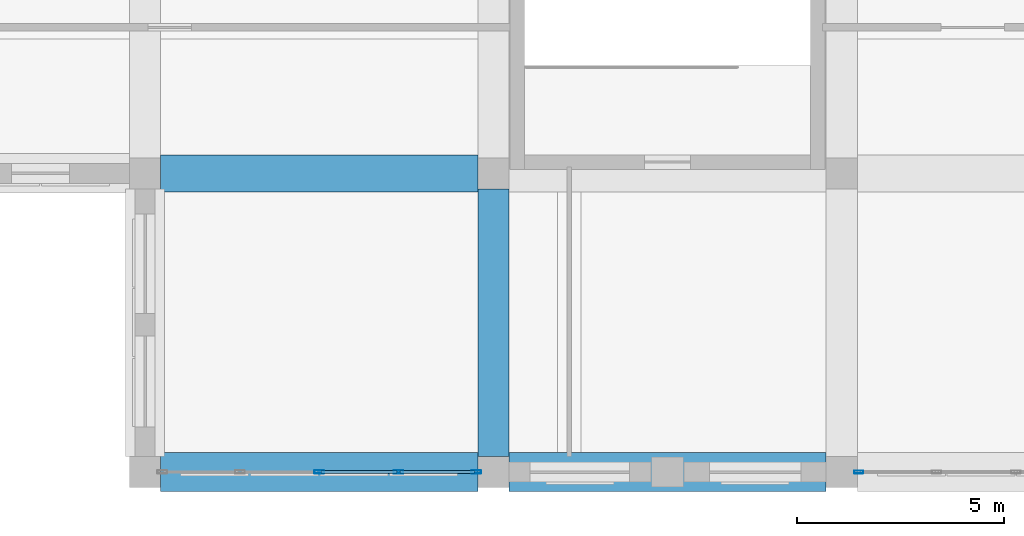
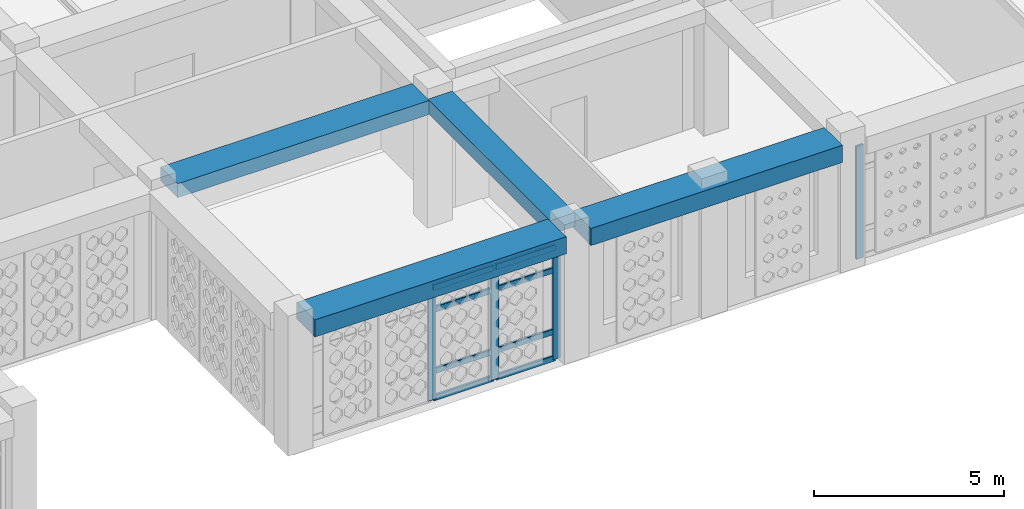
# One storey, part 21 of 111: 12 members, 4 beams, 2 elements without a shape of their own.
"""IFC4 building model written with IfcOpenShell, lengths in metres."""

from ifc_helpers import new_model, si_unit, derived_unit, direction, frame, origin, origin_2d, place, context, subcontext, project, spatial, rectangle, hollow_rectangle, extrude, material, material_profile, profile_set, type_object, element, aggregate, save


model = new_model("IFC4")

# Units and contexts
model_context = context("Model", 3, precision=1e-05, world=origin(), true_north=direction((0.0, 1.0)))
body_context = subcontext(model_context, "Body", "Model", "MODEL_VIEW")
ifc_project = project(units=[si_unit("LENGTHUNIT", "METRE"), si_unit("AREAUNIT", "SQUARE_METRE"), si_unit("VOLUMEUNIT", "CUBIC_METRE"), si_unit("PLANEANGLEUNIT", "RADIAN"), si_unit("MASSUNIT", "GRAM", prefix="KILO"), derived_unit("THERMALTRANSMITTANCEUNIT", [(si_unit("POWERUNIT", "WATT"), 1), (si_unit("LENGTHUNIT", "METRE"), -2), (si_unit("THERMODYNAMICTEMPERATUREUNIT", "KELVIN"), -1)])], contexts=[model_context])

# Site, building, storey
site_placement = place(None, origin())
site = spatial("IfcSite", under=ifc_project, at=site_placement, CompositionType="ELEMENT")
building_placement = place(site_placement, origin())
building = spatial("IfcBuilding", under=site, at=building_placement, Name="Veybourne Emporium", CompositionType="ELEMENT")
storey_placement = place(building_placement, frame((0.0, 0.0, 9.89990234375)))
storey = spatial("IfcBuildingStorey", under=building, at=storey_placement, Name="L02", CompositionType="ELEMENT", Elevation=9.89990234375)

# Curtain wall, member
ifc_material_1 = material(Name="Patinated Architectural Bronze", Category="bronze")
curtain_wall_type_1 = type_object("IfcCurtainWallType", Name="CWSystem_CWS-25", PredefinedType="NOTDEFINED", material=ifc_material_1)
curtain_wall_1_placement = place(storey_placement, origin())
curtain_wall_1 = element("IfcCurtainWall", 1, at=curtain_wall_1_placement, inside=storey, type_object=curtain_wall_type_1, Name="L02 bronze glazed curtain wall CWS-25 (063)", PredefinedType="NOTDEFINED")
ifc_material_profile_1 = material_profile(ifc_material_1, hollow_rectangle(XDim=0.072021484375, YDim=0.22509765625, WallThickness=0.0048828125, InnerFilletRadius=0.007568359375, OuterFilletRadius=0.012451171875, at=origin_2d()), Name="CWM 72x225x5")
ifc_profile_set_1 = profile_set([ifc_material_profile_1], Name="Patinated Architectural Bronze")
member_type_1 = type_object("IfcMemberType", Name="CWMullion_CW-M1", PredefinedType="MULLION", material=ifc_profile_set_1)
member_1_placement = place(storey_placement, frame((109.611083984375, 0.0, 0.0), z_axis=(0.0, 0.0, 1.0), x_axis=(0.0, -1.0, 0.0)))
member_1 = element("IfcMember", 2, at=member_1_placement, type_object=member_type_1, Name="CWS-25 mullion 5", PredefinedType="MULLION", context=body_context, shape_type="SweptSolid", body=[
    extrude(hollow_rectangle(XDim=0.072021484375, YDim=0.22509765625, WallThickness=0.0048828125, InnerFilletRadius=0.007568359375, OuterFilletRadius=0.012451171875, at=origin_2d()), origin(), (0.0, 0.0, 1.0), 3.630126953125),
])
aggregate(curtain_wall_1, [member_1])

# Curtain wall, members
curtain_wall_type_2 = type_object("IfcCurtainWallType", Name="CWSystem_CWS-19", PredefinedType="NOTDEFINED", material=ifc_material_1)
curtain_wall_2_placement = place(storey_placement, origin())
curtain_wall_2 = element("IfcCurtainWall", 3, at=curtain_wall_2_placement, inside=storey, type_object=curtain_wall_type_2, Name="L02 bronze glazed curtain wall CWS-19 (046)", PredefinedType="NOTDEFINED")
ifc_material_profile_2 = material_profile(ifc_material_1, hollow_rectangle(XDim=0.077880859375, YDim=0.235107421875, WallThickness=0.0048828125, InnerFilletRadius=0.007568359375, OuterFilletRadius=0.012451171875, at=origin_2d()), Name="CWM 78x235x5")
ifc_profile_set_2 = profile_set([ifc_material_profile_2], Name="Patinated Architectural Bronze")
member_type_2 = type_object("IfcMemberType", Name="CWMullion_CW-M3", PredefinedType="MULLION", material=ifc_profile_set_2)
member_2_placement = place(storey_placement, frame((100.385986328125, 0.0, 0.0), z_axis=(0.0, 0.0, 1.0), x_axis=(0.0, -1.0, 0.0)))
member_2 = element("IfcMember", 4, at=member_2_placement, type_object=member_type_2, Name="CWS-19 mullion 1", PredefinedType="MULLION", context=body_context, shape_type="SweptSolid", body=[
    extrude(hollow_rectangle(XDim=0.077880859375, YDim=0.235107421875, WallThickness=0.0048828125, InnerFilletRadius=0.007568359375, OuterFilletRadius=0.012451171875, at=origin_2d()), origin(), (0.0, 0.0, 1.0), 3.630126953125),
])
member_3_placement = place(storey_placement, frame((98.512451171875, 0.0, 0.0), z_axis=(0.0, 0.0, 1.0), x_axis=(0.0, -1.0, 0.0)))
member_3 = element("IfcMember", 5, at=member_3_placement, type_object=member_type_2, Name="CWS-19 mullion 2", PredefinedType="MULLION", context=body_context, shape_type="SweptSolid", body=[
    extrude(hollow_rectangle(XDim=0.077880859375, YDim=0.235107421875, WallThickness=0.0048828125, InnerFilletRadius=0.007568359375, OuterFilletRadius=0.012451171875, at=origin_2d()), origin(), (0.0, 0.0, 1.0), 3.630126953125),
])
member_4_placement = place(storey_placement, frame((96.60009765625, 0.0, 0.0), z_axis=(0.0, 0.0, 1.0), x_axis=(0.0, -1.0, 0.0)))
member_4 = element("IfcMember", 6, at=member_4_placement, type_object=member_type_2, Name="CWS-19 mullion 3", PredefinedType="MULLION", context=body_context, shape_type="SweptSolid", body=[
    extrude(hollow_rectangle(XDim=0.077880859375, YDim=0.235107421875, WallThickness=0.0048828125, InnerFilletRadius=0.007568359375, OuterFilletRadius=0.012451171875, at=origin_2d()), origin(), (0.0, 0.0, 1.0), 3.630126953125),
])
ifc_material_profile_3 = material_profile(ifc_material_1, hollow_rectangle(XDim=0.077880859375, YDim=0.18505859375, WallThickness=0.0048828125, InnerFilletRadius=0.007568359375, OuterFilletRadius=0.012451171875, at=origin_2d()), Name="CWT 78x185x5")
ifc_profile_set_3 = profile_set([ifc_material_profile_3], Name="Patinated Architectural Bronze")
member_type_3 = type_object("IfcMemberType", Name="CWTransom_CW-T3", PredefinedType="NOTDEFINED", material=ifc_profile_set_3)
member_5_placement = place(storey_placement, frame((100.346923828125, 0.0, 0.0390625), z_axis=(-1.0, 0.0, 0.0), x_axis=(0.0, -1.0, 0.0)))
member_5 = element("IfcMember", 7, at=member_5_placement, type_object=member_type_3, Name="CWS-19 transom 1.1", ObjectType="TRANSOM", PredefinedType="USERDEFINED", context=body_context, shape_type="SweptSolid", body=[
    extrude(hollow_rectangle(XDim=0.077880859375, YDim=0.18505859375, WallThickness=0.0048828125, InnerFilletRadius=0.007568359375, OuterFilletRadius=0.012451171875, at=origin_2d()), origin(), (0.0, 0.0, 1.0), 1.79541015625),
])
member_6_placement = place(storey_placement, frame((100.346923828125, 0.0, 0.900146484375), z_axis=(-1.0, 0.0, 0.0), x_axis=(0.0, -1.0, 0.0)))
member_6 = element("IfcMember", 8, at=member_6_placement, type_object=member_type_3, Name="CWS-19 transom 1.2", ObjectType="TRANSOM", PredefinedType="USERDEFINED", context=body_context, shape_type="SweptSolid", body=[
    extrude(hollow_rectangle(XDim=0.077880859375, YDim=0.18505859375, WallThickness=0.0048828125, InnerFilletRadius=0.007568359375, OuterFilletRadius=0.012451171875, at=origin_2d()), origin(), (0.0, 0.0, 1.0), 1.79541015625),
])
member_7_placement = place(storey_placement, frame((100.346923828125, 0.0, 2.880126953125), z_axis=(-1.0, 0.0, 0.0), x_axis=(0.0, -1.0, 0.0)))
member_7 = element("IfcMember", 9, at=member_7_placement, type_object=member_type_3, Name="CWS-19 transom 1.3", ObjectType="TRANSOM", PredefinedType="USERDEFINED", context=body_context, shape_type="SweptSolid", body=[
    extrude(hollow_rectangle(XDim=0.077880859375, YDim=0.18505859375, WallThickness=0.0048828125, InnerFilletRadius=0.007568359375, OuterFilletRadius=0.012451171875, at=origin_2d()), origin(), (0.0, 0.0, 1.0), 1.79541015625),
])
member_8_placement = place(storey_placement, frame((100.346923828125, 0.0, 3.591064453125), z_axis=(-1.0, 0.0, 0.0), x_axis=(0.0, -1.0, 0.0)))
member_8 = element("IfcMember", 10, at=member_8_placement, type_object=member_type_3, Name="CWS-19 transom 1.4", ObjectType="TRANSOM", PredefinedType="USERDEFINED", context=body_context, shape_type="SweptSolid", body=[
    extrude(hollow_rectangle(XDim=0.077880859375, YDim=0.18505859375, WallThickness=0.0048828125, InnerFilletRadius=0.007568359375, OuterFilletRadius=0.012451171875, at=origin_2d()), origin(), (0.0, 0.0, 1.0), 1.79541015625),
])
member_9_placement = place(storey_placement, frame((98.473388671875, 0.0, 0.0390625), z_axis=(-1.0, 0.0, 0.0), x_axis=(0.0, -1.0, 0.0)))
member_9 = element("IfcMember", 11, at=member_9_placement, type_object=member_type_3, Name="CWS-19 transom 2.1", ObjectType="TRANSOM", PredefinedType="USERDEFINED", context=body_context, shape_type="SweptSolid", body=[
    extrude(hollow_rectangle(XDim=0.077880859375, YDim=0.18505859375, WallThickness=0.0048828125, InnerFilletRadius=0.007568359375, OuterFilletRadius=0.012451171875, at=origin_2d()), origin(), (0.0, 0.0, 1.0), 1.83447265625),
])
member_10_placement = place(storey_placement, frame((98.473388671875, 0.0, 0.900146484375), z_axis=(-1.0, 0.0, 0.0), x_axis=(0.0, -1.0, 0.0)))
member_10 = element("IfcMember", 12, at=member_10_placement, type_object=member_type_3, Name="CWS-19 transom 2.2", ObjectType="TRANSOM", PredefinedType="USERDEFINED", context=body_context, shape_type="SweptSolid", body=[
    extrude(hollow_rectangle(XDim=0.077880859375, YDim=0.18505859375, WallThickness=0.0048828125, InnerFilletRadius=0.007568359375, OuterFilletRadius=0.012451171875, at=origin_2d()), origin(), (0.0, 0.0, 1.0), 1.83447265625),
])
member_11_placement = place(storey_placement, frame((98.473388671875, 0.0, 2.880126953125), z_axis=(-1.0, 0.0, 0.0), x_axis=(0.0, -1.0, 0.0)))
member_11 = element("IfcMember", 13, at=member_11_placement, type_object=member_type_3, Name="CWS-19 transom 2.3", ObjectType="TRANSOM", PredefinedType="USERDEFINED", context=body_context, shape_type="SweptSolid", body=[
    extrude(hollow_rectangle(XDim=0.077880859375, YDim=0.18505859375, WallThickness=0.0048828125, InnerFilletRadius=0.007568359375, OuterFilletRadius=0.012451171875, at=origin_2d()), origin(), (0.0, 0.0, 1.0), 1.83447265625),
])
member_12_placement = place(storey_placement, frame((98.473388671875, 0.0, 3.591064453125), z_axis=(-1.0, 0.0, 0.0), x_axis=(0.0, -1.0, 0.0)))
member_12 = element("IfcMember", 14, at=member_12_placement, type_object=member_type_3, Name="CWS-19 transom 2.4", ObjectType="TRANSOM", PredefinedType="USERDEFINED", context=body_context, shape_type="SweptSolid", body=[
    extrude(hollow_rectangle(XDim=0.077880859375, YDim=0.18505859375, WallThickness=0.0048828125, InnerFilletRadius=0.007568359375, OuterFilletRadius=0.012451171875, at=origin_2d()), origin(), (0.0, 0.0, 1.0), 1.83447265625),
])
aggregate(curtain_wall_2, [member_2, member_3, member_4, member_5, member_6, member_7, member_8, member_9, member_10, member_11, member_12])

# Beams
ifc_material_2 = material(Name="Concrete C32/40", Category="concrete")
ifc_material_profile_4 = material_profile(ifc_material_2, rectangle(XDim=0.89990234375, YDim=0.449951171875, at=origin_2d()), Name="RC 900x450")
ifc_profile_set_4 = profile_set([ifc_material_profile_4], Name="Concrete C32/40")
beam_type_1 = type_object("IfcBeamType", Name="RCBeam_BB-03", PredefinedType="BEAM", material=ifc_profile_set_4)
beam_1_placement = place(storey_placement, frame((92.77490234375, 7.199951171875, 3.955078125), z_axis=(1.0, 0.0, 0.0), x_axis=(0.0, 1.0, 0.0)))
element("IfcBeam", 15, at=beam_1_placement, inside=storey, type_object=beam_type_1, Name="L02 X-grid beam BB-03 (11,1)", PredefinedType="BEAM", context=body_context, shape_type="SweptSolid", body=[
    extrude(rectangle(XDim=0.89990234375, YDim=0.449951171875, at=origin_2d()), origin(), (0.0, 0.0, 1.0), 7.650146484375),
])
ifc_material_profile_5 = material_profile(ifc_material_2, rectangle(XDim=0.75, YDim=0.449951171875, at=origin_2d()), Name="RC 750x450")
ifc_profile_set_5 = profile_set([ifc_material_profile_5], Name="Concrete C32/40")
beam_type_2 = type_object("IfcBeamType", Name="RCBeam_BB-04", PredefinedType="BEAM", material=ifc_profile_set_5)
beam_2_placement = place(storey_placement, frame((100.800048828125, 0.375, 3.955078125), z_axis=(0.0, 1.0, 0.0), x_axis=(-1.0, 0.0, 0.0)))
element("IfcBeam", 16, at=beam_2_placement, inside=storey, type_object=beam_type_2, Name="L02 Y-grid beam BB-04 (12,0)", PredefinedType="BEAM", context=body_context, shape_type="SweptSolid", body=[
    extrude(rectangle(XDim=0.75, YDim=0.449951171875, at=origin_2d()), origin(), (0.0, 0.0, 1.0), 6.449951171875),
])
ifc_material_profile_6 = material_profile(ifc_material_2, rectangle(XDim=0.949951171875, YDim=0.550048828125, at=origin_2d()), Name="RC 950x550")
ifc_profile_set_6 = profile_set([ifc_material_profile_6], Name="Concrete C32/40")
beam_type_3 = type_object("IfcBeamType", Name="RCBeam_EB-01", PredefinedType="SPANDREL", material=ifc_profile_set_6)
beam_3_placement = place(storey_placement, frame((92.77490234375, 0.0, 3.905029296875), z_axis=(1.0, 0.0, 0.0), x_axis=(0.0, 1.0, 0.0)))
element("IfcBeam", 17, at=beam_3_placement, inside=storey, type_object=beam_type_3, Name="L02 X-grid beam EB-01 (11,0)", PredefinedType="SPANDREL", context=body_context, shape_type="SweptSolid", body=[
    extrude(rectangle(XDim=0.949951171875, YDim=0.550048828125, at=origin_2d()), origin(), (0.0, 0.0, 1.0), 7.650146484375),
])
beam_4_placement = place(storey_placement, frame((101.175048828125, 0.0, 3.905029296875), z_axis=(1.0, 0.0, 0.0), x_axis=(0.0, 1.0, 0.0)))
element("IfcBeam", 18, at=beam_4_placement, inside=storey, type_object=beam_type_3, Name="L02 X-grid beam EB-01 (12,0)", PredefinedType="SPANDREL", context=body_context, shape_type="SweptSolid", body=[
    extrude(rectangle(XDim=0.949951171875, YDim=0.550048828125, at=origin_2d()), origin(), (0.0, 0.0, 1.0), 7.64990234375),
])

save(model, "model.ifc")
